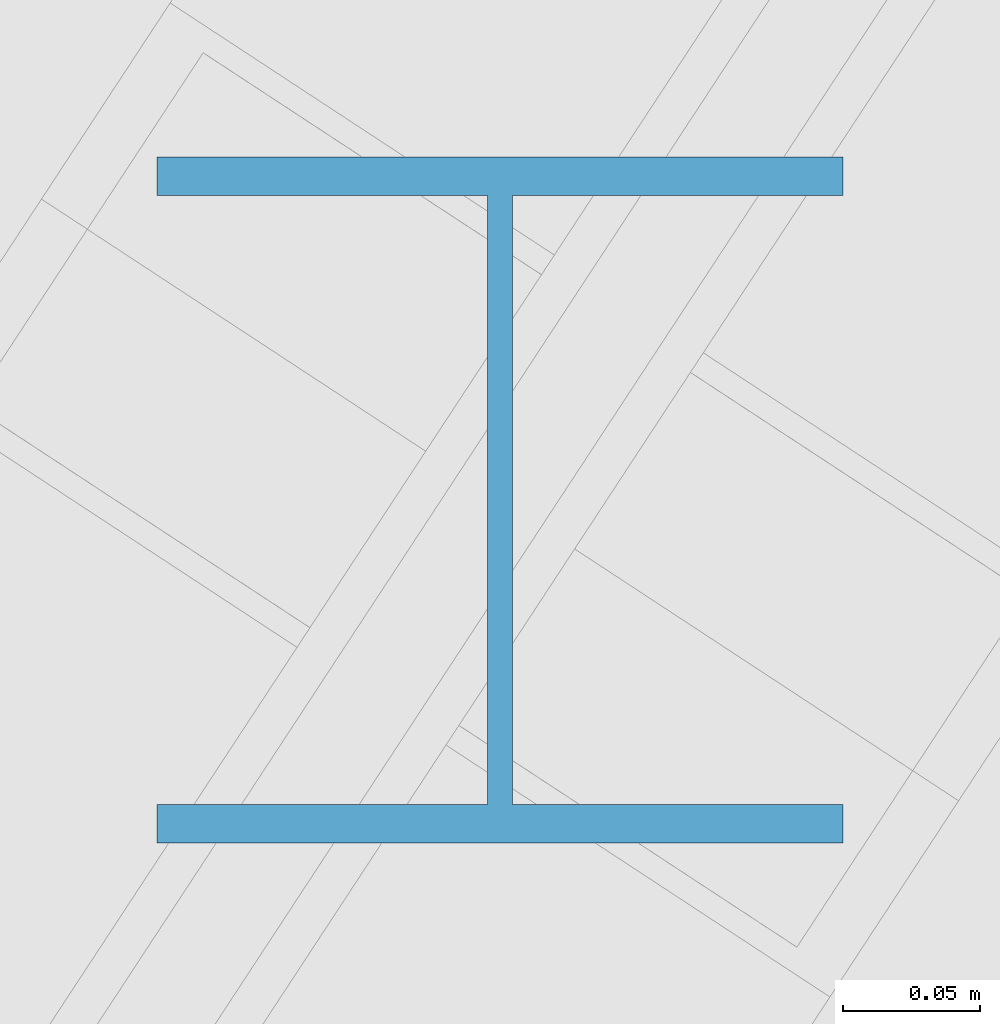
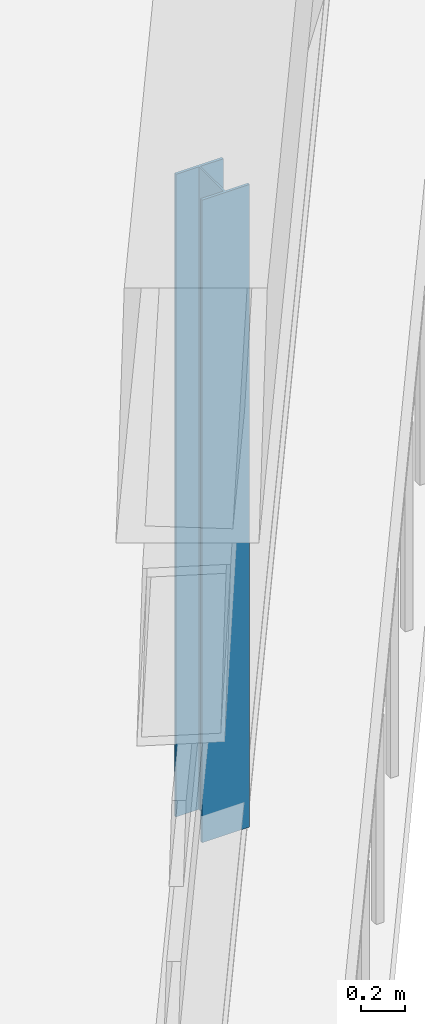
# One storey, part 4 of 25: 1 member.
"""IFC4 building model written with IfcOpenShell, lengths in metres."""

from ifc_helpers import new_model, si_unit, direction, frame, origin, origin_2d, place, context, subcontext, project, spatial, i_section, extrude, source, transform, mapped, material, material_profile, profile_set, type_object, element, save


model = new_model("IFC4")

# Units and contexts
model_context = context("Model", 3, precision=1e-05, world=origin(), true_north=direction((0.0, 1.0)))
body_context = subcontext(model_context, "Body", "Model", "MODEL_VIEW")
ifc_project = project(units=[si_unit("LENGTHUNIT", "METRE"), si_unit("AREAUNIT", "SQUARE_METRE"), si_unit("VOLUMEUNIT", "CUBIC_METRE"), si_unit("PLANEANGLEUNIT", "RADIAN"), si_unit("MASSUNIT", "GRAM", prefix="KILO")], contexts=[model_context])

# Site, building, storey
site_placement = place(None, origin())
site = spatial("IfcSite", under=ifc_project, at=site_placement, CompositionType="ELEMENT")
building_placement = place(site_placement, origin())
building = spatial("IfcBuilding", under=site, at=building_placement, Name="Liaohun Quay Tower", CompositionType="ELEMENT")
storey_placement = place(building_placement, frame((0.0, 0.0, 93.0)))
storey = spatial("IfcBuildingStorey", under=building, at=storey_placement, Name="L24", CompositionType="ELEMENT", Elevation=93.0)

# Member
ifc_material = material(Name="Steel Q355D", Category="steel")
ifc_material_profile = material_profile(ifc_material, i_section(OverallWidth=0.25, OverallDepth=0.25, WebThickness=0.009033203125, FlangeThickness=0.013916015625, at=origin_2d()), Name="HW250x250x9x14")
ifc_profile_set = profile_set([ifc_material_profile], Name="Steel Q355D")
member_type = type_object("IfcMemberType", Name="MEM-BLT-PST", PredefinedType="POST", material=ifc_profile_set)
shared_shape = source(origin(), body_context, "Body", "SweptSolid", [
    extrude(i_section(OverallWidth=0.25, OverallDepth=0.25, WebThickness=0.009033203125, FlangeThickness=0.013916015625, at=origin_2d()), origin(), (0.0, 0.0, 1.0), 3.56982421875),
])
member_placement = place(storey_placement, frame((75.56103515625, 28.568115234375, 0.35009765625), z_axis=(0.0, 0.0, 1.0), x_axis=(1.0, 0.0, 0.0)))
element("IfcMember", 1, at=member_placement, inside=storey, type_object=member_type, Name="L24 Belt Truss Vertical Post BP-1-06", PredefinedType="POST", context=body_context, shape_type="MappedRepresentation", body=[
    mapped(shared_shape, transform((0.0, 0.0, 0.0), x_axis=(1.0, 0.0, 0.0), y_axis=(0.0, 1.0, 0.0), z_axis=(0.0, 0.0, 1.0), scale=1.0)),
])

save(model, "model.ifc")
